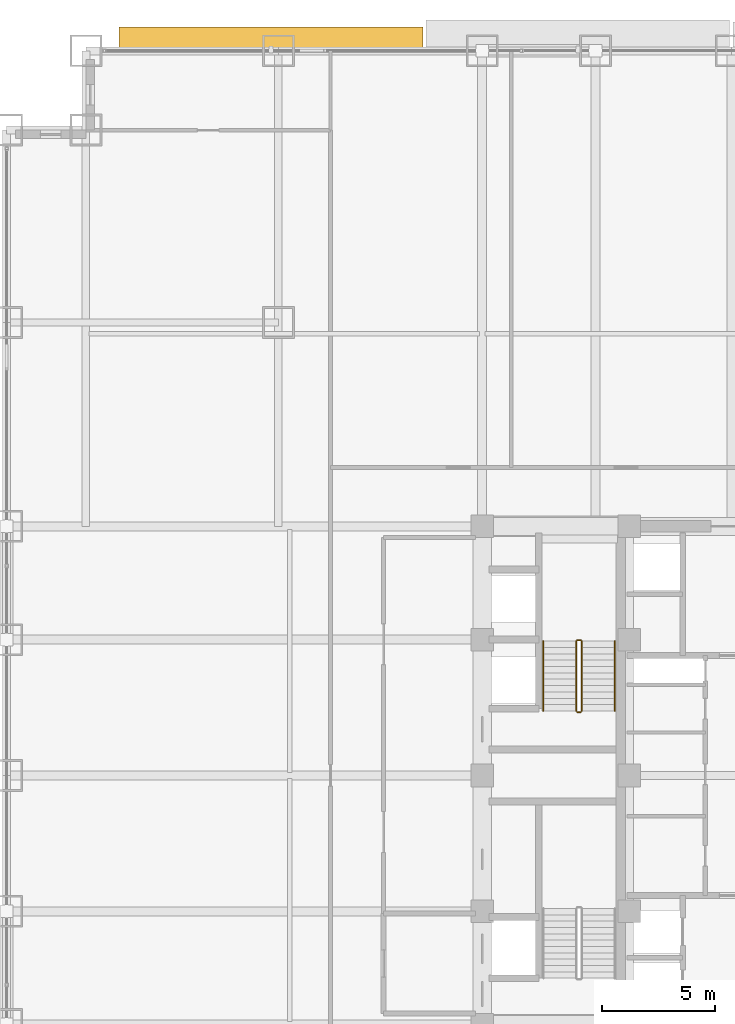
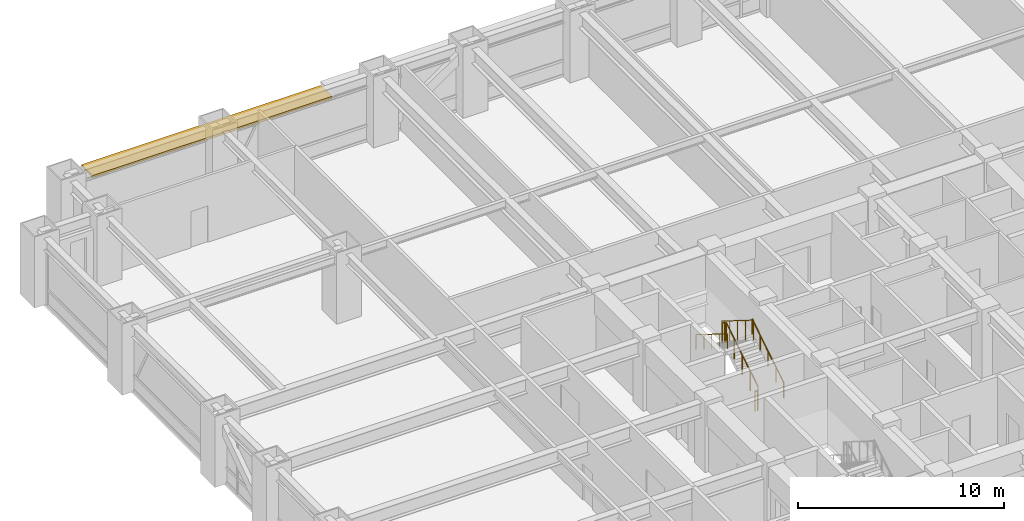
# One storey, part 30 of 31: 6 railings, 1 shading device.
"""IFC4 building model written with IfcOpenShell, lengths in metres."""

from ifc_helpers import new_model, si_unit, direction, frame, origin, origin_2d, place, context, subcontext, project, spatial, rectangle, circle, extrude, source, transform, mapped, material, layer, layer_set, type_object, element, save


model = new_model("IFC4")

# Units and contexts
model_context = context("Model", 3, precision=1e-05, world=origin(), true_north=direction((0.0, 1.0)))
body_context = subcontext(model_context, "Body", "Model", "MODEL_VIEW")
ifc_project = project(units=[si_unit("LENGTHUNIT", "METRE"), si_unit("AREAUNIT", "SQUARE_METRE"), si_unit("VOLUMEUNIT", "CUBIC_METRE"), si_unit("PLANEANGLEUNIT", "RADIAN"), si_unit("MASSUNIT", "GRAM", prefix="KILO")], contexts=[model_context])

# Site, building, storey
site_placement = place(None, origin())
site = spatial("IfcSite", under=ifc_project, at=site_placement, CompositionType="ELEMENT")
building_placement = place(site_placement, origin())
building = spatial("IfcBuilding", under=site, at=building_placement, Name="Khorayat Bourse Tower", CompositionType="ELEMENT")
storey_placement = place(building_placement, frame((0.0, 0.0, 41.0)))
storey = spatial("IfcBuildingStorey", under=building, at=storey_placement, Name="L08", CompositionType="ELEMENT", Elevation=41.0)

# Shading device
ifc_material_1 = material(Name="Precast concrete C45/55", Category="concrete")
ifc_layer = layer(ifc_material_1, 0.139892578125)
ifc_layer_set = layer_set([ifc_layer], Name="Precast concrete C45/55")
shading_device_type = type_object("IfcShadingDeviceType", Name="SHD-WAVE-TRAY-B", PredefinedType="USERDEFINED", material=ifc_layer_set)
shared_shape_1 = source(origin(), body_context, "Body", "SweptSolid", [
    extrude(rectangle(XDim=13.409912109375, YDim=1.076171875, at=origin_2d()), origin(), (0.0, 0.0, 1.0), 0.139892578125),
])
shading_device_placement = place(storey_placement, frame((-20.324951171875, 32.51806640625, 3.18994140625), z_axis=(0.0, 0.0, 1.0), x_axis=(1.0, 0.0, 0.0)))
element("IfcShadingDevice", 1, at=shading_device_placement, inside=storey, type_object=shading_device_type, Name="L08 Sinusoidal Wave Sunshade Tray N-1", ObjectType="SUNSHADE", PredefinedType="USERDEFINED", context=body_context, shape_type="MappedRepresentation", body=[
    mapped(shared_shape_1, transform((0.0, 0.0, 0.0), scale=1.0)),
])

# Railings
ifc_material_2 = material(Name="Powder-coated steel balustrade", Category="steel")
railing_type_1 = type_object("IfcRailingType", Name="RLG-GUARD-1200", PredefinedType="GUARDRAIL", material=ifc_material_2)
shared_shape_2 = source(origin(), body_context, "Body", "SweptSolid", [
    extrude(circle(Radius=0.02392578125, at=origin_2d()), frame((0.0, 0.0, 1.17578125), z_axis=(-1.0, 0.0, 0.0), x_axis=(0.0, -1.0, 0.0)), (0.0, 0.0, 1.0), 0.150146484375),
    extrude(circle(Radius=0.02099609375, at=origin_2d()), origin(), (0.0, 0.0, 1.0), 1.15185546875),
    extrude(circle(Radius=0.02099609375, at=origin_2d()), frame((-0.150146484375, 0.0, 0.0)), (0.0, 0.0, 1.0), 1.15185546875),
])
for number, where, name in (
    (2, (-6.64990234375, 5.97998046875, 2.10009765625), "L08 ST-2 stair guard 2"),
    (3, (-6.64990234375, 2.800048828125, 0.0), "L08 ST-2 stair guard 4"),
):
    element("IfcRailing", number, at=place(storey_placement, frame(where)), inside=storey, type_object=railing_type_1, Name=name, PredefinedType="GUARDRAIL", context=body_context, shape_type="MappedRepresentation", body=[
        mapped(shared_shape_2, transform((0.0, 0.0, 0.0), scale=1.0)),
    ])
shared_shape_3 = source(origin(), body_context, "Body", "SweptSolid", [
    extrude(circle(Radius=0.02392578125, at=origin_2d()), frame((0.0, 0.0, 1.17578125), z_axis=(0.0, 0.847979421464, 0.530029150871), x_axis=(-1.0, 0.0, 0.0)), (0.0, 0.0, 1.0), 3.632080078125),
    extrude(circle(Radius=0.02099609375, at=origin_2d()), origin(), (0.0, 0.0, 1.0), 1.15185546875),
    extrude(circle(Radius=0.02099609375, at=origin_2d()), frame((0.0, 0.77001953125, 0.481201171875)), (0.0, 0.0, 1.0), 1.15185546875),
    extrude(circle(Radius=0.02099609375, at=origin_2d()), frame((0.0, 1.5400390625, 0.96240234375)), (0.0, 0.0, 1.0), 1.15185546875),
    extrude(circle(Radius=0.02099609375, at=origin_2d()), frame((0.0, 2.309814453125, 1.44384765625)), (0.0, 0.0, 1.0), 1.15185546875),
    extrude(circle(Radius=0.02099609375, at=origin_2d()), frame((0.0, 3.079833984375, 1.925048828125)), (0.0, 0.0, 1.0), 1.15185546875),
])
railing_1_placement = place(storey_placement, frame((-6.60009765625, 2.85009765625, 0.175048828125)))
element("IfcRailing", 4, at=railing_1_placement, inside=storey, type_object=railing_type_1, Name="L08 ST-2 stair guard 1", PredefinedType="GUARDRAIL", context=body_context, shape_type="MappedRepresentation", body=[
    mapped(shared_shape_3, transform((0.0, 0.0, 0.0), scale=1.0)),
])
shared_shape_4 = source(origin(), body_context, "Body", "SweptSolid", [
    extrude(circle(Radius=0.02392578125, at=origin_2d()), frame((0.0, 0.0, 1.17578125), z_axis=(0.0, -0.847979421464, 0.530029150871), x_axis=(1.0, 0.0, 0.0)), (0.0, 0.0, 1.0), 3.632080078125),
    extrude(circle(Radius=0.02099609375, at=origin_2d()), origin(), (0.0, 0.0, 1.0), 1.15185546875),
    extrude(circle(Radius=0.02099609375, at=origin_2d()), frame((0.0, -0.77001953125, 0.481201171875)), (0.0, 0.0, 1.0), 1.15185546875),
    extrude(circle(Radius=0.02099609375, at=origin_2d()), frame((0.0, -1.5400390625, 0.96240234375)), (0.0, 0.0, 1.0), 1.15185546875),
    extrude(circle(Radius=0.02099609375, at=origin_2d()), frame((0.0, -2.309814453125, 1.44384765625)), (0.0, 0.0, 1.0), 1.15185546875),
    extrude(circle(Radius=0.02099609375, at=origin_2d()), frame((0.0, -3.079833984375, 1.925048828125)), (0.0, 0.0, 1.0), 1.15185546875),
])
railing_2_placement = place(storey_placement, frame((-6.85009765625, 5.929931640625, 2.27490234375)))
element("IfcRailing", 5, at=railing_2_placement, inside=storey, type_object=railing_type_1, Name="L08 ST-2 stair guard 3", PredefinedType="GUARDRAIL", context=body_context, shape_type="MappedRepresentation", body=[
    mapped(shared_shape_4, transform((0.0, 0.0, 0.0), scale=1.0)),
])
ifc_material_3 = material(Name="Brushed bronze stainless-steel handrail", Category="steel")
railing_type_2 = type_object("IfcRailingType", Name="RLG-HAND-900", PredefinedType="HANDRAIL", material=ifc_material_3)
shared_shape_5 = source(origin(), body_context, "Body", "SweptSolid", [
    extrude(circle(Radius=0.02392578125, at=origin_2d()), frame((0.0, 0.0, 0.8759765625), z_axis=(0.0, 0.847979421464, 0.530029150871), x_axis=(-1.0, 0.0, 0.0)), (0.0, 0.0, 1.0), 3.632080078125),
    extrude(circle(Radius=0.02099609375, at=origin_2d()), origin(), (0.0, 0.0, 1.0), 0.851806640625),
    extrude(circle(Radius=0.02099609375, at=origin_2d()), frame((0.0, 0.77001953125, 0.481201171875)), (0.0, 0.0, 1.0), 0.851806640625),
    extrude(circle(Radius=0.02099609375, at=origin_2d()), frame((0.0, 1.5400390625, 0.96240234375)), (0.0, 0.0, 1.0), 0.851806640625),
    extrude(circle(Radius=0.02099609375, at=origin_2d()), frame((0.0, 2.309814453125, 1.44384765625)), (0.0, 0.0, 1.0), 0.851806640625),
    extrude(circle(Radius=0.02099609375, at=origin_2d()), frame((0.0, 3.079833984375, 1.925048828125)), (0.0, 0.0, 1.0), 0.851806640625),
])
railing_3_placement = place(storey_placement, frame((-5.14990234375, 2.85009765625, 0.175048828125)))
element("IfcRailing", 6, at=railing_3_placement, inside=storey, type_object=railing_type_2, Name="L08 ST-2 stair handrail 1", PredefinedType="HANDRAIL", context=body_context, shape_type="MappedRepresentation", body=[
    mapped(shared_shape_5, transform((0.0, 0.0, 0.0), scale=1.0)),
])
shared_shape_6 = source(origin(), body_context, "Body", "SweptSolid", [
    extrude(circle(Radius=0.02392578125, at=origin_2d()), frame((0.0, 0.0, 0.8759765625), z_axis=(0.0, -0.847979421464, 0.530029150871), x_axis=(1.0, 0.0, 0.0)), (0.0, 0.0, 1.0), 3.632080078125),
    extrude(circle(Radius=0.02099609375, at=origin_2d()), origin(), (0.0, 0.0, 1.0), 0.851806640625),
    extrude(circle(Radius=0.02099609375, at=origin_2d()), frame((0.0, -0.77001953125, 0.481201171875)), (0.0, 0.0, 1.0), 0.851806640625),
    extrude(circle(Radius=0.02099609375, at=origin_2d()), frame((0.0, -1.5400390625, 0.96240234375)), (0.0, 0.0, 1.0), 0.851806640625),
    extrude(circle(Radius=0.02099609375, at=origin_2d()), frame((0.0, -2.309814453125, 1.44384765625)), (0.0, 0.0, 1.0), 0.851806640625),
    extrude(circle(Radius=0.02099609375, at=origin_2d()), frame((0.0, -3.079833984375, 1.925048828125)), (0.0, 0.0, 1.0), 0.851806640625),
])
railing_4_placement = place(storey_placement, frame((-8.300048828125, 5.929931640625, 2.27490234375)))
element("IfcRailing", 7, at=railing_4_placement, inside=storey, type_object=railing_type_2, Name="L08 ST-2 stair handrail 2", PredefinedType="HANDRAIL", context=body_context, shape_type="MappedRepresentation", body=[
    mapped(shared_shape_6, transform((0.0, 0.0, 0.0), scale=1.0)),
])

save(model, "model.ifc")
